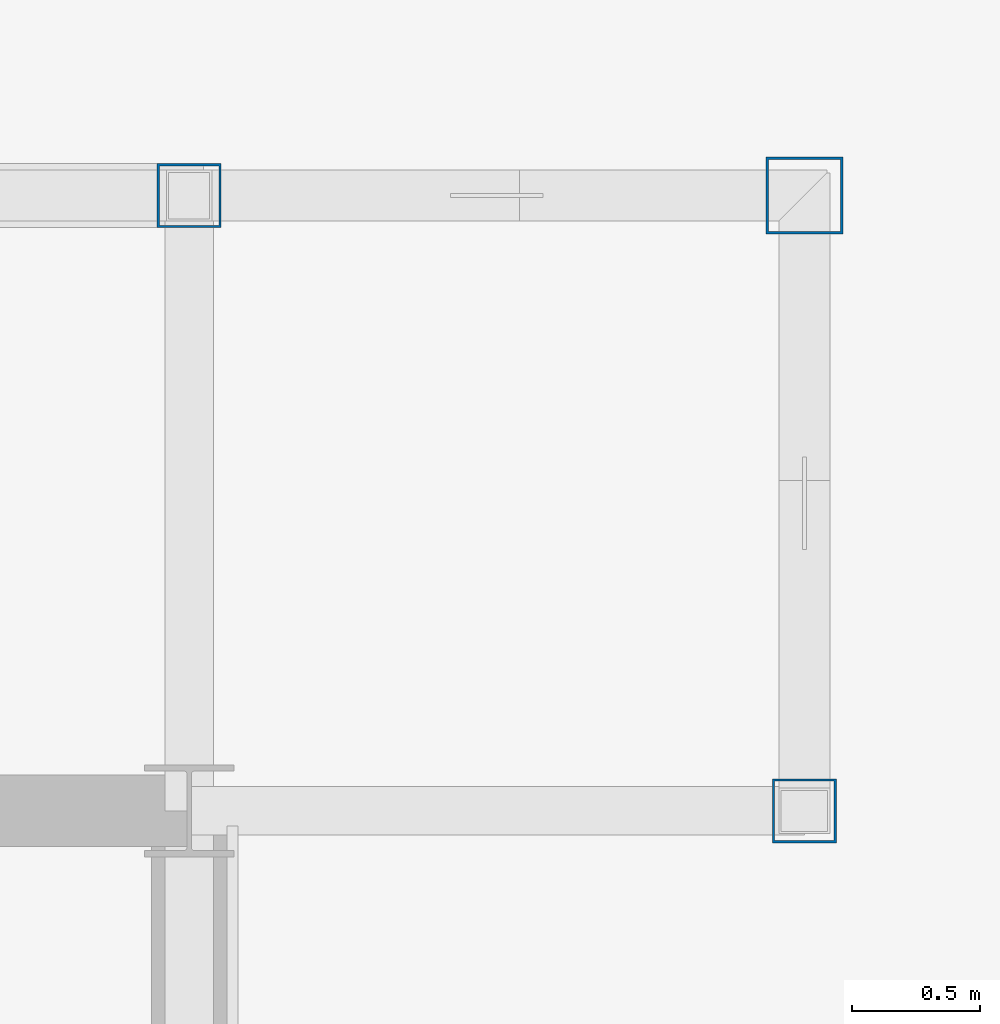
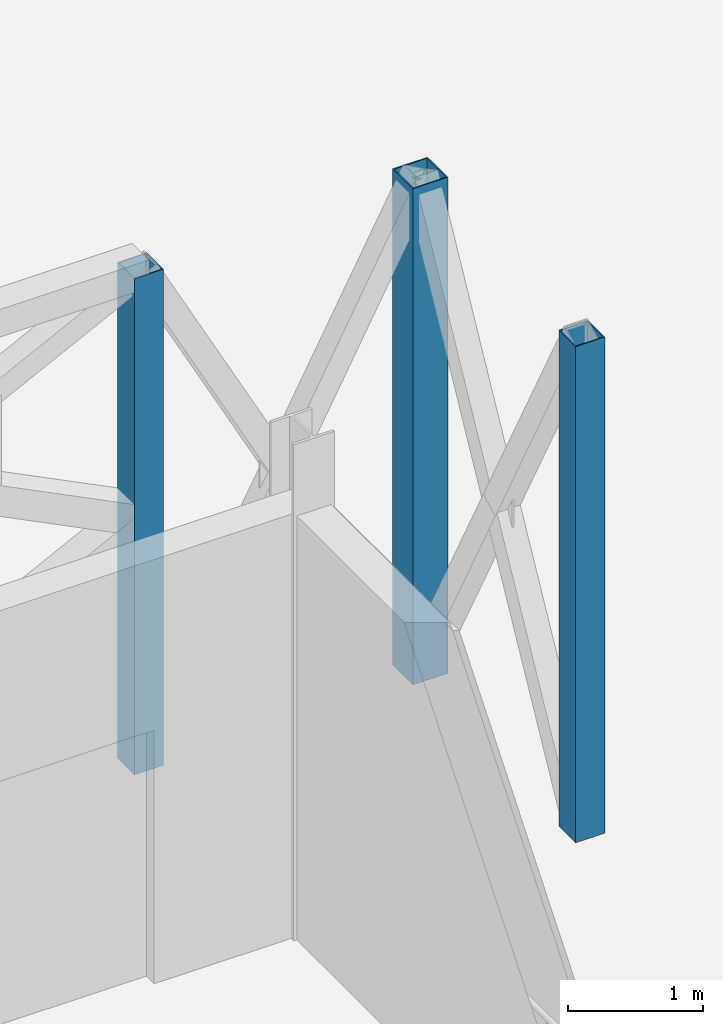
# One storey, part 9 of 89: 3 columns.
"""IFC4 building model written with IfcOpenShell, lengths in metres."""

from ifc_helpers import new_model, si_unit, direction, frame, origin, origin_2d, place, context, subcontext, project, spatial, hollow_rectangle, extrude, material, material_profile, profile_set, type_object, element, save


model = new_model("IFC4")

# Units and contexts
model_context = context("Model", 3, precision=1e-05, world=origin(), true_north=direction((0.0, 1.0)))
body_context = subcontext(model_context, "Body", "Model", "MODEL_VIEW")
ifc_project = project(units=[si_unit("LENGTHUNIT", "METRE"), si_unit("AREAUNIT", "SQUARE_METRE"), si_unit("VOLUMEUNIT", "CUBIC_METRE"), si_unit("PLANEANGLEUNIT", "RADIAN"), si_unit("MASSUNIT", "GRAM", prefix="KILO"), si_unit("THERMODYNAMICTEMPERATUREUNIT", "KELVIN"), si_unit("POWERUNIT", "WATT")], contexts=[model_context])

# Site, building, storey
site_placement = place(None, origin())
site = spatial("IfcSite", under=ifc_project, at=site_placement, CompositionType="ELEMENT")
building_placement = place(site_placement, origin())
building = spatial("IfcBuilding", under=site, at=building_placement, Name="Tallowbark Science Centre", CompositionType="ELEMENT")
storey_placement = place(building_placement, frame((0.0, 0.0, 14.39990234375)))
storey = spatial("IfcBuildingStorey", under=building, at=storey_placement, Name="L03", CompositionType="ELEMENT", Elevation=14.39990234375)

# Columns
ifc_material = material(Name="White Architectural Painted Steel Grade C350L0 (350 MPa)", Category="steel")
ifc_material_profile_1 = material_profile(ifc_material, hollow_rectangle(XDim=0.25, YDim=0.25, WallThickness=0.009033203125, at=origin_2d()), Name="250x250x9.0SHS")
ifc_profile_set_1 = profile_set([ifc_material_profile_1], Name="White Architectural Painted Steel Grade C350L0 (350 MPa)")
column_type_1 = type_object("IfcColumnType", Name="COL-SCR200", PredefinedType="COLUMN", material=ifc_profile_set_1)
for number, where, z_axis, x_axis, name in (
    (1, (103.5, 42.89990234375, 0.0), (0.0, 0.0, 1.0), (1.0, 0.0, 0.0), "Column SCR-N06 L03"),
    (2, (105.89990234375, 40.5, 0.0), (0.0, 0.0, 1.0), (1.0, 0.0, 0.0), "Column SCR-E05 L03"),
):
    element("IfcColumn", number, at=place(storey_placement, frame(where, z_axis=z_axis, x_axis=x_axis)), inside=storey, type_object=column_type_1, Name=name, PredefinedType="COLUMN", context=body_context, shape_type="SweptSolid", body=[
        extrude(hollow_rectangle(XDim=0.25, YDim=0.25, WallThickness=0.009033203125, at=origin_2d()), origin(), (0.0, 0.0, 1.0), 4.5),
    ])
ifc_material_profile_2 = material_profile(ifc_material, hollow_rectangle(XDim=0.300048828125, YDim=0.300048828125, WallThickness=0.010009765625, at=origin_2d()), Name="300x300x10.0SHS")
ifc_profile_set_2 = profile_set([ifc_material_profile_2], Name="White Architectural Painted Steel Grade C350L0 (350 MPa)")
column_type_2 = type_object("IfcColumnType", Name="COL-SCR300", PredefinedType="COLUMN", material=ifc_profile_set_2)
column_placement = place(storey_placement, frame((105.89990234375, 42.89990234375, 0.0), z_axis=(0.0, 0.0, 1.0), x_axis=(1.0, 0.0, 0.0)))
element("IfcColumn", 3, at=column_placement, inside=storey, type_object=column_type_2, Name="Column SCR-N07 L03", PredefinedType="COLUMN", context=body_context, shape_type="SweptSolid", body=[
    extrude(hollow_rectangle(XDim=0.300048828125, YDim=0.300048828125, WallThickness=0.010009765625, at=origin_2d()), origin(), (0.0, 0.0, 1.0), 4.5),
])

save(model, "model.ifc")
